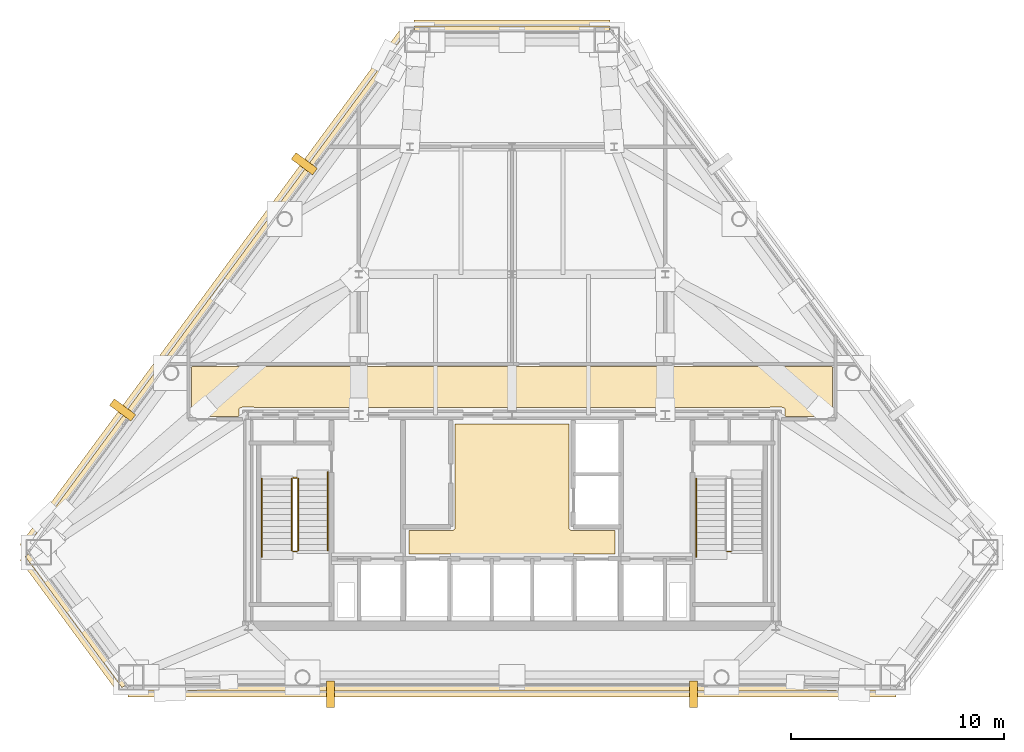
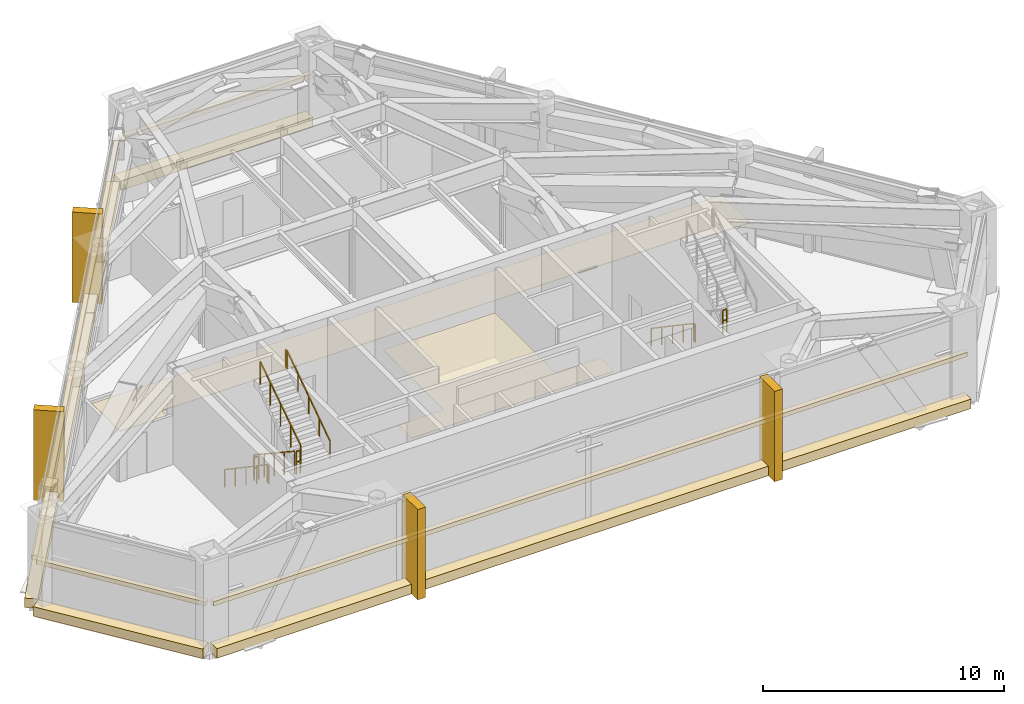
# One storey, part 9 of 10: 14 coverings, 8 railings.
"""IFC4 building model written with IfcOpenShell, lengths in metres."""

import ifcopenshell
import ifcopenshell.guid

model = None  # the IFC model being written
_history = None  # IfcOwnerHistory: only IFC2X3 demands one
_inside = {}  # id of a spatial element -> (the spatial element, [elements in it])
_under = {}  # id of a project, library or spatial element -> (it, [spatial elements below it])
_declared = {}  # id of a project -> (the project, [libraries it declares])
_typed = {}  # id of a type object -> (the type object, [elements of that type])
_made_of = {}  # id of a material, layer set ... -> (it, [elements and type objects made of it])


def new_model(schema):
    """Start an empty IFC model of exactly this schema.

    Asked for "IFC4X3", IfcOpenShell would pick the latest addendum, in which some entities
    have other attributes; the version numbers below select the first issue.
    IFC2X3 requires an IfcOwnerHistory on every rooted entity: one is made here for all.
    """
    global model, _history
    if schema == "IFC4X3":
        model = ifcopenshell.file(schema_version=(4, 3, 0, 0))
    else:
        model = ifcopenshell.file(schema=schema)
    _inside.clear()
    _under.clear()
    _declared.clear()
    _typed.clear()
    _made_of.clear()
    _history = None
    if model.schema == "IFC2X3":
        org = make("IfcOrganization", Name="unknown")
        user = make(
            "IfcPersonAndOrganization",
            ThePerson=make("IfcPerson", FamilyName="unknown"),
            TheOrganization=org,
        )
        app = make(
            "IfcApplication",
            ApplicationDeveloper=org,
            Version="unknown",
            ApplicationFullName="unknown",
            ApplicationIdentifier="unknown",
        )
        _history = make(
            "IfcOwnerHistory",
            OwningUser=user,
            OwningApplication=app,
            ChangeAction="ADDED",
            CreationDate=0,
        )
    return model


def make(cls, **values):
    """One entity of the class cls with the attributes given. An attribute that is None is left unset."""
    return model.create_entity(
        cls, **{name: value for name, value in values.items() if value is not None}
    )


def rooted(cls, **values):
    """An entity with a GlobalId (a new one), such as an element, a storey or a relation."""
    return make(cls, GlobalId=ifcopenshell.guid.new(), OwnerHistory=_history, **values)


def si_unit(unit_type, name, prefix=None):
    """IfcSIUnit, for example si_unit("LENGTHUNIT", "METRE", prefix="MILLI")."""
    return make("IfcSIUnit", UnitType=unit_type, Prefix=prefix, Name=name)


def assignment(units):
    """IfcUnitAssignment: the units of a project."""
    return None if units is None else make("IfcUnitAssignment", Units=units)


def point(xyz):
    """IfcCartesianPoint."""
    return None if xyz is None else make("IfcCartesianPoint", Coordinates=xyz)


def direction(xyz):
    """IfcDirection."""
    return None if xyz is None else make("IfcDirection", DirectionRatios=xyz)


def frame(location, z_axis=None, x_axis=None):
    """IfcAxis2Placement3D, a coordinate frame: its origin and axes. An axis left out is left unset."""
    return make(
        "IfcAxis2Placement3D",
        Location=point(location),
        Axis=direction(z_axis),
        RefDirection=direction(x_axis),
    )


def frame_2d(location, x_axis=None):
    """IfcAxis2Placement2D, a coordinate frame in the plane: its origin and x axis."""
    return make(
        "IfcAxis2Placement2D", Location=point(location), RefDirection=direction(x_axis)
    )


def origin():
    """The frame at (0, 0, 0) with its axes left unset."""
    return frame((0.0, 0.0, 0.0))


def origin_2d():
    """The frame at (0, 0) in the plane with its x axis left unset."""
    return frame_2d((0.0, 0.0))


def place(relative_to, where):
    """IfcLocalPlacement: puts the frame where relative to a parent placement (None: the world)."""
    return make(
        "IfcLocalPlacement", PlacementRelTo=relative_to, RelativePlacement=where
    )


def context(
    kind, dimensions, precision=None, world=None, true_north=None, identifier=None
):
    """IfcGeometricRepresentationContext, for example the 3D "Model" context."""
    return make(
        "IfcGeometricRepresentationContext",
        ContextIdentifier=identifier,
        ContextType=kind,
        CoordinateSpaceDimension=dimensions,
        Precision=precision,
        WorldCoordinateSystem=world,
        TrueNorth=true_north,
    )


def subcontext(parent, identifier, kind, view, scale=None):
    """IfcGeometricRepresentationSubContext, for example "Body" below "Model"."""
    return make(
        "IfcGeometricRepresentationSubContext",
        ContextIdentifier=identifier,
        ContextType=kind,
        ParentContext=parent,
        TargetScale=scale,
        TargetView=view,
    )


def project(units=None, contexts=None):
    """IfcProject with its units and contexts."""
    return rooted(
        "IfcProject",
        Name="project",
        RepresentationContexts=contexts,
        UnitsInContext=assignment(units),
    )


def spatial(cls, under=None, at=None, **own):
    """A site, building, storey or space (cls), placed at a placement, below another one or the project."""
    s = rooted(cls, ObjectPlacement=at, **own)
    if under is not None:
        _under.setdefault(under.id(), (under, []))[1].append(s)
    return s


def polyline(points):
    """IfcPolyline through the points."""
    return make("IfcPolyline", Points=[point(p) for p in points])


def profile(cls, at=None, kind="AREA", **sizes):
    """A parametric profile (cls). Its sizes go by their IFC names, for example OverallWidth=200.0."""
    return make(cls, ProfileType=kind, Position=at, **sizes)


def rectangle(**sizes):
    """IfcRectangleProfileDef."""
    return profile("IfcRectangleProfileDef", **sizes)


def outline(outer, holes=None, kind="AREA"):
    """IfcArbitraryClosedProfileDef: a profile drawn as a closed curve; with holes, ...WithVoids."""
    if holes is None:
        return make("IfcArbitraryClosedProfileDef", ProfileType=kind, OuterCurve=outer)
    return make(
        "IfcArbitraryProfileDefWithVoids",
        ProfileType=kind,
        OuterCurve=outer,
        InnerCurves=holes,
    )


def extrude(swept, where, along, depth):
    """IfcExtrudedAreaSolid: the profile swept, set in the frame where, extruded along a direction by depth."""
    return make(
        "IfcExtrudedAreaSolid",
        SweptArea=swept,
        Position=where,
        ExtrudedDirection=direction(along),
        Depth=depth,
    )


def shape(context_of_items, identifier, shape_type, items):
    """IfcShapeRepresentation: the items that make up one representation, for example the "Body"."""
    return make(
        "IfcShapeRepresentation",
        ContextOfItems=context_of_items,
        RepresentationIdentifier=identifier,
        RepresentationType=shape_type,
        Items=items,
    )


def material(Name=None, Category=None):
    """IfcMaterial."""
    return make("IfcMaterial", Name=Name, Category=Category)


def layer(
    of_material, thickness, ventilated=None, Name=None, Category=None, Priority=None
):
    """IfcMaterialLayer: one layer of a wall or slab, of a material (None: an air gap)."""
    return make(
        "IfcMaterialLayer",
        Material=of_material,
        LayerThickness=thickness,
        IsVentilated=ventilated,
        Name=Name,
        Category=Category,
        Priority=Priority,
    )


def layer_set(layers, Name=None):
    """IfcMaterialLayerSet."""
    return make("IfcMaterialLayerSet", MaterialLayers=layers, LayerSetName=Name)


def made_of(thing, what):
    """Note that an element or type object is made of a material, layer set ...; save() writes the relation."""
    if what is not None:
        _made_of.setdefault(what.id(), (what, []))[1].append(thing)
    return thing


def type_object(cls, material=None, **own):
    """A type object (cls), such as IfcWallType, which elements share."""
    return made_of(rooted(cls, **own), material)


def element(
    cls,
    number,
    at=None,
    inside=None,
    cuts=None,
    type_object=None,
    material=None,
    context=None,
    identifier="Body",
    shape_type=None,
    held_by="IfcProductDefinitionShape",
    body=None,
    shapes=None,
    **own,
):
    """One element of the class cls, such as IfcWall. Its Tag is "e" and its number.

    at: its placement. inside: the storey or other place that contains it. cuts: it is an
    opening in that element (IfcRelVoidsElement). A single representation is given by context,
    identifier, shape_type and body (its items); several are given by shapes. held_by: the class
    of the entity that holds the representations. save() writes the other relations.
    """
    e = rooted(cls, Tag="e%d" % number, ObjectPlacement=at, **own)
    if body is not None:
        shapes = [shape(context, identifier, shape_type, body)]
    if shapes is not None:
        e.Representation = make(held_by, Representations=shapes)
    if inside is not None:
        _inside.setdefault(inside.id(), (inside, []))[1].append(e)
    if cuts is not None:
        rooted(
            "IfcRelVoidsElement", RelatingBuildingElement=cuts, RelatedOpeningElement=e
        )
    if type_object is not None:
        _typed.setdefault(type_object.id(), (type_object, []))[1].append(e)
    return made_of(e, material)


def aggregate(whole, parts):
    """IfcRelAggregates: a whole, such as a stair, and the parts it consists of."""
    return rooted("IfcRelAggregates", RelatingObject=whole, RelatedObjects=parts)


def save(model, path):
    """Write the relations noted so far, then the file.

    IfcRelAggregates (storeys below a building ...), IfcRelContainedInSpatialStructure (elements
    in a storey), IfcRelDefinesByType, IfcRelAssociatesMaterial and IfcRelDeclares: one each for
    every whole, place, type object, material and project.
    """
    for whole, parts in _under.values():
        aggregate(whole, parts)
    for where, things in _inside.values():
        rooted(
            "IfcRelContainedInSpatialStructure",
            RelatedElements=things,
            RelatingStructure=where,
        )
    for kind, things in _typed.values():
        rooted("IfcRelDefinesByType", RelatedObjects=things, RelatingType=kind)
    for what, things in _made_of.values():
        rooted("IfcRelAssociatesMaterial", RelatedObjects=things, RelatingMaterial=what)
    for by, libraries in _declared.values():
        rooted("IfcRelDeclares", RelatingContext=by, RelatedDefinitions=libraries)
    model.write(path)


model = new_model("IFC4")

# Units and contexts
model_context = context("Model", 3, precision=1e-05, world=origin(), true_north=direction((0.0, 1.0)))
body_context = subcontext(model_context, "Body", "Model", "MODEL_VIEW")
ifc_project = project(units=[si_unit("LENGTHUNIT", "METRE"), si_unit("AREAUNIT", "SQUARE_METRE"), si_unit("VOLUMEUNIT", "CUBIC_METRE"), si_unit("PLANEANGLEUNIT", "RADIAN"), si_unit("MASSUNIT", "GRAM", prefix="KILO")], contexts=[model_context])

# Site, building, storey
site_placement = place(None, origin())
site = spatial("IfcSite", under=ifc_project, at=site_placement, CompositionType="ELEMENT")
building_placement = place(site_placement, origin())
building = spatial("IfcBuilding", under=site, at=building_placement, Name="Talgorran Terracotta Tower", CompositionType="ELEMENT")
storey_placement = place(building_placement, frame((0.0, 0.0, 168.89990234375)))
storey = spatial("IfcBuildingStorey", under=building, at=storey_placement, Name="L44", CompositionType="ELEMENT", Elevation=168.89990234375)

# Coverings
ifc_material_1 = material(Name="Kiln-Fired Terracotta Ochre Ceramic", Category="masonry")
ifc_layer_1 = layer(ifc_material_1, 0.179931640625, Name="COV_BAGUETTE_TERRACOTTA_SCREEN")
ifc_layer_set_1 = layer_set([ifc_layer_1], Name="Kiln-Fired Terracotta Ochre Ceramic")
covering_type_1 = type_object("IfcCoveringType", Name="COV_BAGUETTE_TERRACOTTA_SCREEN", PredefinedType="CLADDING", material=ifc_layer_set_1)
covering_1_placement = place(storey_placement, frame((-20.49609375, -13.851806640625, 2.41015625), z_axis=(0.0, 0.0, 1.0), x_axis=(0.593784074712, -0.804624429544, 0.0)))
element("IfcCovering", 1, at=covering_1_placement, inside=storey, type_object=covering_type_1, Name="L44 Terracotta Baguette Solar Screen Assembly F0", PredefinedType="CLADDING", context=body_context, shape_type="SweptSolid", body=[
    extrude(rectangle(XDim=7.6591796875, YDim=0.260009765625, at=origin_2d()), origin(), (0.0, 0.0, 1.0), 0.219970703125),
])
covering_2_placement = place(storey_placement, frame((0.0, -17.030029296875, 2.41015625), z_axis=(0.0, 0.0, 1.0), x_axis=(1.0, 0.0, 0.0)))
element("IfcCovering", 2, at=covering_2_placement, inside=storey, type_object=covering_type_1, Name="L44 Terracotta Baguette Solar Screen Assembly F1", PredefinedType="CLADDING", context=body_context, shape_type="SweptSolid", body=[
    extrude(rectangle(XDim=36.060302734375, YDim=0.260009765625, at=origin_2d()), origin(), (0.0, 0.0, 1.0), 0.219970703125),
])
covering_3_placement = place(storey_placement, frame((0.0, 13.9345703125, 2.41015625), z_axis=(0.0, 0.0, 1.0), x_axis=(-1.0, 0.0, 0.0)))
element("IfcCovering", 3, at=covering_3_placement, inside=storey, type_object=covering_type_1, Name="L44 Terracotta Baguette Solar Screen Assembly F4", PredefinedType="CLADDING", context=body_context, shape_type="SweptSolid", body=[
    extrude(rectangle(XDim=9.177978515625, YDim=0.260009765625, at=origin_2d()), origin(), (0.0, 0.0, 1.0), 0.219970703125),
])
covering_4_placement = place(storey_placement, frame((-13.775634765625, 1.6494140625, 2.41015625), z_axis=(0.0, 0.0, 1.0), x_axis=(-0.593784074712, -0.804624429544, 0.0)))
element("IfcCovering", 4, at=covering_4_placement, inside=storey, type_object=covering_type_1, Name="L44 Terracotta Baguette Solar Screen Assembly F5", PredefinedType="CLADDING", context=body_context, shape_type="SweptSolid", body=[
    extrude(rectangle(XDim=30.295654296875, YDim=0.260009765625, at=origin_2d()), origin(), (0.0, 0.0, 1.0), 0.219970703125),
])
ifc_material_2 = material(Name="Mineral Fibre Acoustic Tile")
ifc_layer_2 = layer(ifc_material_2, 0.02490234375, Name="COV_CEIL_ACOUSTIC")
ifc_layer_set_2 = layer_set([ifc_layer_2], Name="Mineral Fibre Acoustic Tile")
covering_type_2 = type_object("IfcCoveringType", Name="COV_CEIL_ACOUSTIC", PredefinedType="CEILING", material=ifc_layer_set_2)
covering_5_placement = place(storey_placement, frame((0.0, 0.0, 2.380126953125)))
element("IfcCovering", 5, at=covering_5_placement, inside=storey, type_object=covering_type_2, Name="CEIL-L44-2", PredefinedType="CEILING", context=body_context, shape_type="SweptSolid", body=[
    extrude(outline(polyline([(-12.68798828125, -3.844970703125), (-12.699951171875, -3.844970703125), (-12.711669921875, -3.845703125), (-12.723388671875, -3.847412109375), (-12.734619140625, -3.85009765625), (-12.742919921875, -3.8525390625), (-12.75390625, -3.8564453125), (-12.7646484375, -3.861572265625), (-12.77490234375, -3.86767578125), (-12.7841796875, -3.87451171875), (-12.79296875, -3.882568359375), (-12.80078125, -3.89111328125), (-12.806396484375, -3.89794921875), (-12.813720703125, -3.907470703125), (-12.819580078125, -3.91748046875), (-12.82470703125, -3.927978515625), (-12.82861328125, -3.939208984375), (-12.83154296875, -3.95068359375), (-12.833251953125, -3.962158203125), (-12.833984375, -3.97412109375), (-12.834716796875, -4.264892578125), (-15.06494140625, -4.264892578125), (-15.06494140625, -1.93505859375), (15.06494140625, -1.93505859375), (15.06494140625, -4.264892578125), (12.8349609375, -4.264892578125), (12.834716796875, -3.97705078125), (12.833984375, -3.96533203125), (12.83251953125, -3.95361328125), (12.82958984375, -3.9423828125), (12.82568359375, -3.931396484375), (12.820556640625, -3.920654296875), (12.81640625, -3.9130859375), (12.810302734375, -3.90283203125), (12.803466796875, -3.893310546875), (12.79541015625, -3.884521484375), (12.78662109375, -3.876708984375), (12.777099609375, -3.86962890625), (12.76708984375, -3.863525390625), (12.75927734375, -3.859375), (12.748779296875, -3.8544921875), (12.73779296875, -3.8505859375), (12.7265625, -3.84765625), (12.715087890625, -3.845947265625), (12.703369140625, -3.84521484375), (12.6884765625, -3.84521484375), (12.6865234375, -3.84423828125), (12.67578125, -3.839111328125), (12.664794921875, -3.835205078125), (12.6533203125, -3.832275390625), (12.641845703125, -3.83056640625), (12.6298828125, -3.830078125), (12.169921875, -3.830078125), (12.158203125, -3.83056640625), (12.146484375, -3.832275390625), (12.13525390625, -3.835205078125), (12.1240234375, -3.839111328125), (12.11328125, -3.84423828125), (12.112060546875, -3.844970703125), (7.432861328125, -3.844970703125), (6.968017578125, -3.843017578125), (6.967529296875, -3.843017578125), (0.232666015625, -3.844970703125), (-0.23193359375, -3.843017578125), (-0.232421875, -3.843017578125), (-6.96728515625, -3.844970703125), (-7.431884765625, -3.843017578125), (-7.4326171875, -3.843017578125), (-12.112060546875, -3.844970703125), (-12.11328125, -3.84423828125), (-12.1240234375, -3.839111328125), (-12.13525390625, -3.835205078125), (-12.146484375, -3.832275390625), (-12.158203125, -3.83056640625), (-12.169921875, -3.830078125), (-12.6298828125, -3.830078125), (-12.641845703125, -3.83056640625), (-12.6533203125, -3.832275390625), (-12.664794921875, -3.835205078125), (-12.67578125, -3.839111328125), (-12.6865234375, -3.84423828125), (-12.68798828125, -3.844970703125)])), origin(), (0.0, 0.0, 1.0), 0.02001953125),
])
ifc_material_3 = material(Name="Flush Moisture-Resistant Plaster")
ifc_layer_3 = layer(ifc_material_3, 0.01806640625, Name="COV_CEIL_PLASTER")
ifc_layer_set_3 = layer_set([ifc_layer_3], Name="Flush Moisture-Resistant Plaster")
covering_type_3 = type_object("IfcCoveringType", Name="COV_CEIL_PLASTER", PredefinedType="CEILING", material=ifc_layer_set_3)
covering_6_placement = place(storey_placement, frame((0.0, 0.0, 2.380126953125)))
element("IfcCovering", 6, at=covering_6_placement, inside=storey, type_object=covering_type_3, Name="CEIL-L44-1", PredefinedType="CEILING", context=body_context, shape_type="SweptSolid", body=[
    extrude(outline(polyline([(-4.830078125, -9.6201171875), (-2.800048828125, -9.6201171875), (-2.7880859375, -9.619384765625), (-2.776611328125, -9.61767578125), (-2.76513671875, -9.61474609375), (-2.754150390625, -9.61083984375), (-2.743408203125, -9.605712890625), (-2.7333984375, -9.599853515625), (-2.723876953125, -9.5927734375), (-2.715087890625, -9.5849609375), (-2.707275390625, -9.576171875), (-2.7001953125, -9.566650390625), (-2.694091796875, -9.556640625), (-2.689208984375, -9.5458984375), (-2.685302734375, -9.534912109375), (-2.682373046875, -9.5234375), (-2.6806640625, -9.51171875), (-2.679931640625, -9.5), (-2.679931640625, -4.6201171875), (2.679931640625, -4.6201171875), (2.679931640625, -9.5), (2.6806640625, -9.51171875), (2.682373046875, -9.5234375), (2.685302734375, -9.534912109375), (2.689208984375, -9.5458984375), (2.694091796875, -9.556640625), (2.7001953125, -9.566650390625), (2.707275390625, -9.576171875), (2.715087890625, -9.5849609375), (2.723876953125, -9.5927734375), (2.7333984375, -9.599853515625), (2.743408203125, -9.605712890625), (2.754150390625, -9.61083984375), (2.76513671875, -9.61474609375), (2.776611328125, -9.61767578125), (2.7880859375, -9.619384765625), (2.800048828125, -9.6201171875), (4.830078125, -9.6201171875), (4.830078125, -10.72998046875), (-4.830078125, -10.72998046875), (-4.830078125, -9.6201171875)])), origin(), (0.0, 0.0, 1.0), 0.02001953125),
])
ifc_material_4 = material(Name="Honed Limestone Cladding", Category="masonry")
ifc_layer_4 = layer(ifc_material_4, 0.094970703125, Name="COV_PORTAL_LIME")
ifc_layer_set_4 = layer_set([ifc_layer_4], Name="Honed Limestone Cladding")
covering_type_4 = type_object("IfcCoveringType", Name="COV_PORTAL_LIME", PredefinedType="CLADDING", material=ifc_layer_set_4)
covering_7_placement = place(storey_placement, frame((-20.60888671875, -13.934814453125, -0.039794921875), z_axis=(0.0, 0.0, 1.0), x_axis=(0.593784074712, -0.804624429544, 0.0)))
element("IfcCovering", 7, at=covering_7_placement, inside=storey, type_object=covering_type_4, Name="L44 Striped Postmodern Portal Cladding Band F0", PredefinedType="CLADDING", context=body_context, shape_type="SweptSolid", body=[
    extrude(rectangle(XDim=7.67919921875, YDim=0.56005859375, at=origin_2d()), origin(), (0.0, 0.0, 1.0), 0.47998046875),
])
covering_8_placement = place(storey_placement, frame((0.0, -17.169921875, -0.039794921875), z_axis=(0.0, 0.0, 1.0), x_axis=(1.0, 0.0, 0.0)))
element("IfcCovering", 8, at=covering_8_placement, inside=storey, type_object=covering_type_4, Name="L44 Striped Postmodern Portal Cladding Band F1", PredefinedType="CLADDING", context=body_context, shape_type="SweptSolid", body=[
    extrude(rectangle(XDim=36.080322265625, YDim=0.56005859375, at=origin_2d()), origin(), (0.0, 0.0, 1.0), 0.47998046875),
])
covering_9_placement = place(storey_placement, frame((0.0, 14.07470703125, -0.039794921875), z_axis=(0.0, 0.0, 1.0), x_axis=(-1.0, 0.0, 0.0)))
element("IfcCovering", 9, at=covering_9_placement, inside=storey, type_object=covering_type_4, Name="L44 Striped Postmodern Portal Cladding Band F4", PredefinedType="CLADDING", context=body_context, shape_type="SweptSolid", body=[
    extrude(rectangle(XDim=9.197998046875, YDim=0.56005859375, at=origin_2d()), origin(), (0.0, 0.0, 1.0), 0.47998046875),
])
covering_10_placement = place(storey_placement, frame((-13.88818359375, 1.732421875, -0.039794921875), z_axis=(0.0, 0.0, 1.0), x_axis=(-0.593784074712, -0.804624429544, 0.0)))
element("IfcCovering", 10, at=covering_10_placement, inside=storey, type_object=covering_type_4, Name="L44 Striped Postmodern Portal Cladding Band F5", PredefinedType="CLADDING", context=body_context, shape_type="SweptSolid", body=[
    extrude(rectangle(XDim=30.315673828125, YDim=0.56005859375, at=origin_2d()), origin(), (0.0, 0.0, 1.0), 0.47998046875),
])
for number, where, z_axis, x_axis, name in (
    (11, (8.53564453125, -17.330078125, -0.0498046875), (0.0, 0.0, 1.0), (1.0, 0.0, 0.0), "L44 White Striped Portal Fin F1-2"),
    (12, (-18.293212890625, -3.966796875, -0.0498046875), (0.0, 0.0, 1.0), (-0.593784074712, -0.804624429544, 0.0), "L44 White Striped Portal Fin F5-2"),
):
    element("IfcCovering", number, at=place(storey_placement, frame(where, z_axis=z_axis, x_axis=x_axis)), inside=storey, type_object=covering_type_4, Name=name, PredefinedType="CLADDING", context=body_context, shape_type="SweptSolid", body=[
        extrude(rectangle(XDim=0.3798828125, YDim=1.25, at=origin_2d()), origin(), (0.0, 0.0, 1.0), 4.570068359375),
    ])
ifc_material_5 = material(Name="Kiln-Fired Terracotta Cladding", Category="masonry")
ifc_layer_5 = layer(ifc_material_5, 0.090087890625, Name="COV_PORTAL_TERRA")
ifc_layer_set_5 = layer_set([ifc_layer_5], Name="Kiln-Fired Terracotta Cladding")
covering_type_5 = type_object("IfcCoveringType", Name="COV_PORTAL_TERRA", PredefinedType="CLADDING", material=ifc_layer_set_5)
for number, where, z_axis, x_axis, name in (
    (13, (-8.53564453125, -17.330078125, -0.0498046875), (0.0, 0.0, 1.0), (1.0, 0.0, 0.0), "L44 Terracotta Striped Portal Fin F1-1"),
    (14, (-9.757568359375, 7.599365234375, -0.0498046875), (0.0, 0.0, 1.0), (-0.593784074712, -0.804624429544, 0.0), "L44 Terracotta Striped Portal Fin F5-1"),
):
    element("IfcCovering", number, at=place(storey_placement, frame(where, z_axis=z_axis, x_axis=x_axis)), inside=storey, type_object=covering_type_5, Name=name, PredefinedType="CLADDING", context=body_context, shape_type="SweptSolid", body=[
        extrude(rectangle(XDim=0.3798828125, YDim=1.25, at=origin_2d()), origin(), (0.0, 0.0, 1.0), 4.570068359375),
    ])

# Railings
ifc_material_6 = material(Name="Steel S355 (300PLUS)", Category="steel")
railing_type_1 = type_object("IfcRailingType", Name="RL_HANDRAIL_920", PredefinedType="HANDRAIL", material=ifc_material_6)
railing_1_placement = place(storey_placement, frame((-11.75, -7.199951171875, 0.184814453125)))
element("IfcRailing", 15, at=railing_1_placement, inside=storey, type_object=railing_type_1, Name="L44 ST-01 stair handrail 1", PredefinedType="HANDRAIL", context=body_context, shape_type="SweptSolid", body=[
    extrude(rectangle(XDim=0.048095703125, YDim=0.048095703125, at=origin_2d()), frame((0.0, 0.0, 0.89599609375), z_axis=(0.0, -0.827721979786, 0.561138418021), x_axis=(1.0, 0.0, 0.0)), (0.0, 0.0, 1.0), 4.27685546875),
    extrude(rectangle(XDim=0.048095703125, YDim=0.048095703125, at=origin_2d()), frame((0.0, -3.5400390625, 3.2958984375), z_axis=(0.0, -1.0, 0.0), x_axis=(1.0, 0.0, 0.0)), (0.0, 0.0, 1.0), 0.1201171875),
    extrude(rectangle(XDim=0.0419921875, YDim=0.0419921875, at=origin_2d()), origin(), (0.0, 0.0, 1.0), 0.871826171875),
    extrude(rectangle(XDim=0.0419921875, YDim=0.0419921875, at=origin_2d()), frame((0.0, -0.885009765625, 0.60009765625)), (0.0, 0.0, 1.0), 0.871826171875),
    extrude(rectangle(XDim=0.0419921875, YDim=0.0419921875, at=origin_2d()), frame((0.0, -1.77001953125, 1.199951171875)), (0.0, 0.0, 1.0), 0.871826171875),
    extrude(rectangle(XDim=0.0419921875, YDim=0.0419921875, at=origin_2d()), frame((0.0, -2.655029296875, 1.7998046875)), (0.0, 0.0, 1.0), 0.871826171875),
    extrude(rectangle(XDim=0.0419921875, YDim=0.0419921875, at=origin_2d()), frame((0.0, -3.5400390625, 2.39990234375)), (0.0, 0.0, 1.0), 0.871826171875),
    extrude(rectangle(XDim=0.0419921875, YDim=0.0419921875, at=origin_2d()), frame((0.0, -3.66015625, 2.39990234375)), (0.0, 0.0, 1.0), 0.871826171875),
])
railing_2_placement = place(storey_placement, frame((-8.64990234375, -10.56005859375, 2.584716796875)))
element("IfcRailing", 16, at=railing_2_placement, inside=storey, type_object=railing_type_1, Name="L44 ST-01 stair handrail 2", PredefinedType="HANDRAIL", context=body_context, shape_type="SweptSolid", body=[
    extrude(rectangle(XDim=0.048095703125, YDim=0.048095703125, at=origin_2d()), frame((0.0, 0.0, 0.89599609375), z_axis=(0.0, 0.827721979786, 0.561138418021), x_axis=(-1.0, 0.0, 0.0)), (0.0, 0.0, 1.0), 4.27685546875),
    extrude(rectangle(XDim=0.048095703125, YDim=0.048095703125, at=origin_2d()), frame((0.0, 3.5400390625, 3.2958984375), z_axis=(0.0, 1.0, 0.0), x_axis=(-1.0, 0.0, 0.0)), (0.0, 0.0, 1.0), 0.1201171875),
    extrude(rectangle(XDim=0.0419921875, YDim=0.0419921875, at=origin_2d()), origin(), (0.0, 0.0, 1.0), 0.871826171875),
    extrude(rectangle(XDim=0.0419921875, YDim=0.0419921875, at=origin_2d()), frame((0.0, 0.885009765625, 0.60009765625)), (0.0, 0.0, 1.0), 0.871826171875),
    extrude(rectangle(XDim=0.0419921875, YDim=0.0419921875, at=origin_2d()), frame((0.0, 1.77001953125, 1.199951171875)), (0.0, 0.0, 1.0), 0.871826171875),
    extrude(rectangle(XDim=0.0419921875, YDim=0.0419921875, at=origin_2d()), frame((0.0, 2.655029296875, 1.7998046875)), (0.0, 0.0, 1.0), 0.871826171875),
    extrude(rectangle(XDim=0.0419921875, YDim=0.0419921875, at=origin_2d()), frame((0.0, 3.5400390625, 2.39990234375)), (0.0, 0.0, 1.0), 0.871826171875),
    extrude(rectangle(XDim=0.0419921875, YDim=0.0419921875, at=origin_2d()), frame((0.0, 3.66015625, 2.39990234375)), (0.0, 0.0, 1.0), 0.871826171875),
])
railing_3_placement = place(storey_placement, frame((8.64990234375, -7.199951171875, 0.184814453125)))
element("IfcRailing", 17, at=railing_3_placement, inside=storey, type_object=railing_type_1, Name="L44 ST-02 stair handrail 1", PredefinedType="HANDRAIL", context=body_context, shape_type="SweptSolid", body=[
    extrude(rectangle(XDim=0.048095703125, YDim=0.048095703125, at=origin_2d()), frame((0.0, 0.0, 0.89599609375), z_axis=(0.0, -0.827721979786, 0.561138418021), x_axis=(1.0, 0.0, 0.0)), (0.0, 0.0, 1.0), 4.27685546875),
    extrude(rectangle(XDim=0.048095703125, YDim=0.048095703125, at=origin_2d()), frame((0.0, -3.5400390625, 3.2958984375), z_axis=(0.0, -1.0, 0.0), x_axis=(1.0, 0.0, 0.0)), (0.0, 0.0, 1.0), 0.1201171875),
    extrude(rectangle(XDim=0.0419921875, YDim=0.0419921875, at=origin_2d()), origin(), (0.0, 0.0, 1.0), 0.871826171875),
    extrude(rectangle(XDim=0.0419921875, YDim=0.0419921875, at=origin_2d()), frame((0.0, -0.885009765625, 0.60009765625)), (0.0, 0.0, 1.0), 0.871826171875),
    extrude(rectangle(XDim=0.0419921875, YDim=0.0419921875, at=origin_2d()), frame((0.0, -1.77001953125, 1.199951171875)), (0.0, 0.0, 1.0), 0.871826171875),
    extrude(rectangle(XDim=0.0419921875, YDim=0.0419921875, at=origin_2d()), frame((0.0, -2.655029296875, 1.7998046875)), (0.0, 0.0, 1.0), 0.871826171875),
    extrude(rectangle(XDim=0.0419921875, YDim=0.0419921875, at=origin_2d()), frame((0.0, -3.5400390625, 2.39990234375)), (0.0, 0.0, 1.0), 0.871826171875),
    extrude(rectangle(XDim=0.0419921875, YDim=0.0419921875, at=origin_2d()), frame((0.0, -3.66015625, 2.39990234375)), (0.0, 0.0, 1.0), 0.871826171875),
])
railing_type_2 = type_object("IfcRailingType", Name="RL_STAIR_GUARD", PredefinedType="GUARDRAIL", material=ifc_material_6)
railing_4_placement = place(storey_placement, frame((-10.35009765625, -7.199951171875, 0.184814453125)))
element("IfcRailing", 18, at=railing_4_placement, inside=storey, type_object=railing_type_2, Name="L44 ST-01 stair guard 1", PredefinedType="GUARDRAIL", context=body_context, shape_type="SweptSolid", body=[
    extrude(rectangle(XDim=0.048095703125, YDim=0.048095703125, at=origin_2d()), frame((0.0, 0.0, 1.15576171875), z_axis=(0.0, -0.834876476806, 0.550437342915), x_axis=(1.0, 0.0, 0.0)), (0.0, 0.0, 1.0), 4.024658203125),
    extrude(rectangle(XDim=0.0419921875, YDim=0.0419921875, at=origin_2d()), origin(), (0.0, 0.0, 1.0), 1.1318359375),
    extrude(rectangle(XDim=0.0419921875, YDim=0.0419921875, at=origin_2d()), frame((0.0, -0.840087890625, 0.5537109375)), (0.0, 0.0, 1.0), 1.1318359375),
    extrude(rectangle(XDim=0.0419921875, YDim=0.0419921875, at=origin_2d()), frame((0.0, -1.68017578125, 1.107666015625)), (0.0, 0.0, 1.0), 1.1318359375),
    extrude(rectangle(XDim=0.0419921875, YDim=0.0419921875, at=origin_2d()), frame((0.0, -2.52001953125, 1.66162109375)), (0.0, 0.0, 1.0), 1.1318359375),
    extrude(rectangle(XDim=0.0419921875, YDim=0.0419921875, at=origin_2d()), frame((0.0, -3.360107421875, 2.21533203125)), (0.0, 0.0, 1.0), 1.1318359375),
])
railing_5_placement = place(storey_placement, frame((-10.300048828125, -10.610107421875, 2.400146484375)))
element("IfcRailing", 19, at=railing_5_placement, inside=storey, type_object=railing_type_2, Name="L44 ST-01 stair guard 2", PredefinedType="GUARDRAIL", context=body_context, shape_type="SweptSolid", body=[
    extrude(rectangle(XDim=0.048095703125, YDim=0.048095703125, at=origin_2d()), frame((0.0, 0.0, 1.15576171875), z_axis=(1.0, 0.0, 0.0), x_axis=(0.0, 1.0, 0.0)), (0.0, 0.0, 1.0), 0.199951171875),
    extrude(rectangle(XDim=0.048095703125, YDim=0.048095703125, at=origin_2d()), frame((0.0, 0.0, 0.613525390625), z_axis=(1.0, 0.0, 0.0), x_axis=(0.0, 1.0, 0.0)), (0.0, 0.0, 1.0), 0.199951171875),
    extrude(rectangle(XDim=0.0419921875, YDim=0.0419921875, at=origin_2d()), origin(), (0.0, 0.0, 1.0), 1.1318359375),
    extrude(rectangle(XDim=0.0419921875, YDim=0.0419921875, at=origin_2d()), frame((0.199951171875, 0.0, 0.0)), (0.0, 0.0, 1.0), 1.1318359375),
])
railing_6_placement = place(storey_placement, frame((-10.050048828125, -10.56005859375, 2.584716796875)))
element("IfcRailing", 20, at=railing_6_placement, inside=storey, type_object=railing_type_2, Name="L44 ST-01 stair guard 3", PredefinedType="GUARDRAIL", context=body_context, shape_type="SweptSolid", body=[
    extrude(rectangle(XDim=0.048095703125, YDim=0.048095703125, at=origin_2d()), frame((0.0, 0.0, 1.15576171875), z_axis=(0.0, 0.834876476806, 0.550437342915), x_axis=(-1.0, 0.0, 0.0)), (0.0, 0.0, 1.0), 4.024658203125),
    extrude(rectangle(XDim=0.0419921875, YDim=0.0419921875, at=origin_2d()), origin(), (0.0, 0.0, 1.0), 1.1318359375),
    extrude(rectangle(XDim=0.0419921875, YDim=0.0419921875, at=origin_2d()), frame((0.0, 0.840087890625, 0.5537109375)), (0.0, 0.0, 1.0), 1.1318359375),
    extrude(rectangle(XDim=0.0419921875, YDim=0.0419921875, at=origin_2d()), frame((0.0, 1.68017578125, 1.107666015625)), (0.0, 0.0, 1.0), 1.1318359375),
    extrude(rectangle(XDim=0.0419921875, YDim=0.0419921875, at=origin_2d()), frame((0.0, 2.52001953125, 1.66162109375)), (0.0, 0.0, 1.0), 1.1318359375),
    extrude(rectangle(XDim=0.0419921875, YDim=0.0419921875, at=origin_2d()), frame((0.0, 3.360107421875, 2.21533203125)), (0.0, 0.0, 1.0), 1.1318359375),
])
for number, where, name in (
    (21, (-10.300048828125, -7.14990234375, 0.0), "L44 ST-01 stair guard 4"),
    (22, (10.10009765625, -10.610107421875, 2.400146484375), "L44 ST-02 stair guard 2"),
):
    element("IfcRailing", number, at=place(storey_placement, frame(where)), inside=storey, type_object=railing_type_2, Name=name, PredefinedType="GUARDRAIL", context=body_context, shape_type="SweptSolid", body=[
        extrude(rectangle(XDim=0.048095703125, YDim=0.048095703125, at=origin_2d()), frame((0.0, 0.0, 1.15576171875), z_axis=(1.0, 0.0, 0.0), x_axis=(0.0, 1.0, 0.0)), (0.0, 0.0, 1.0), 0.199951171875),
        extrude(rectangle(XDim=0.048095703125, YDim=0.048095703125, at=origin_2d()), frame((0.0, 0.0, 0.613525390625), z_axis=(1.0, 0.0, 0.0), x_axis=(0.0, 1.0, 0.0)), (0.0, 0.0, 1.0), 0.199951171875),
        extrude(rectangle(XDim=0.0419921875, YDim=0.0419921875, at=origin_2d()), origin(), (0.0, 0.0, 1.0), 1.1318359375),
        extrude(rectangle(XDim=0.0419921875, YDim=0.0419921875, at=origin_2d()), frame((0.199951171875, 0.0, 0.0)), (0.0, 0.0, 1.0), 1.1318359375),
    ])

save(model, "model.ifc")
